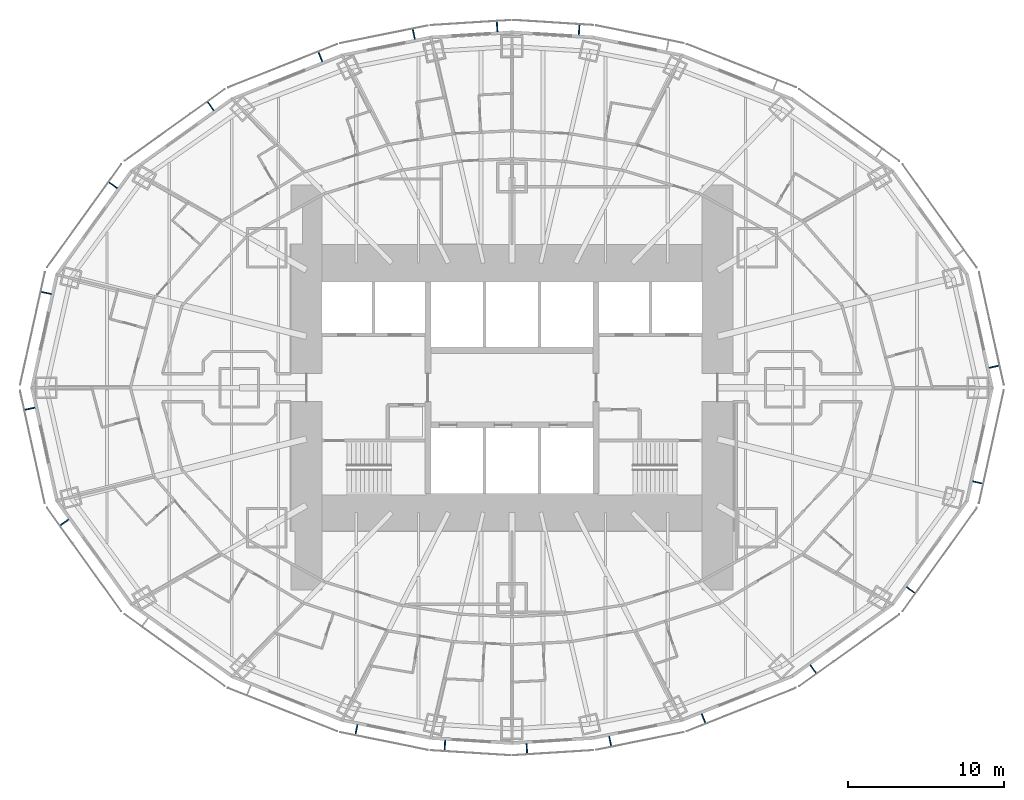
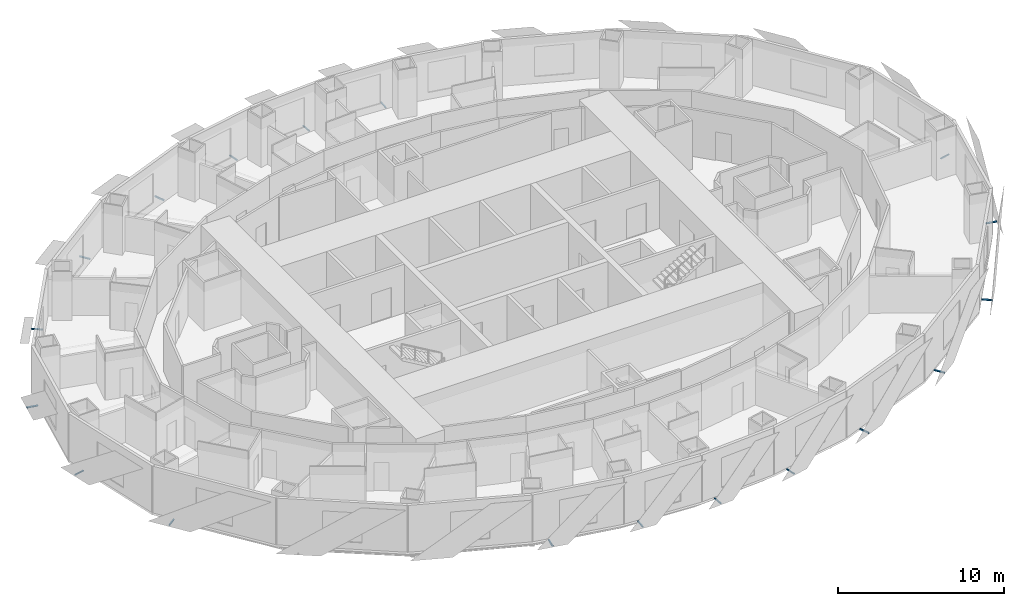
# One storey, part 11 of 15: 18 discrete accessories.
"""IFC4 building model written with IfcOpenShell, lengths in metres."""

from ifc_helpers import new_model, si_unit, direction, frame, origin, origin_2d, place, context, subcontext, project, spatial, rectangle, extrude, element, save


model = new_model("IFC4")

# Units and contexts
model_context = context("Model", 3, precision=1e-05, world=origin(), true_north=direction((0.0, 1.0)))
body_context = subcontext(model_context, "Body", "Model", "MODEL_VIEW")
ifc_project = project(units=[si_unit("LENGTHUNIT", "METRE"), si_unit("AREAUNIT", "SQUARE_METRE"), si_unit("VOLUMEUNIT", "CUBIC_METRE"), si_unit("PLANEANGLEUNIT", "RADIAN"), si_unit("MASSUNIT", "GRAM", prefix="KILO")], contexts=[model_context])

# Site, building, storey
site_placement = place(None, origin())
site = spatial("IfcSite", under=ifc_project, at=site_placement, CompositionType="ELEMENT")
building_placement = place(site_placement, origin())
building = spatial("IfcBuilding", under=site, at=building_placement, Name="Lantaw Convention Tower", CompositionType="ELEMENT")
storey_placement = place(building_placement, frame((0.0, 0.0, 62.199951171875)))
storey = spatial("IfcBuildingStorey", under=building, at=storey_placement, Name="L13", CompositionType="ELEMENT", Elevation=62.199951171875)

# Discrete accessories
for number, where, z_axis, x_axis, name in (
    (1, (30.967529296875, 1.35009765625, -0.114990234375), (0.0, 0.0, 1.0), (-0.215246056391, 0.976559847223, 0.0), "Screen bracket"),
    (2, (4.310302734375, 22.987548828125, -0.114990234375), (0.0, 0.0, 1.0), (-0.998016153807, 0.062958373078, 0.0), "Screen bracket"),
    (3, (-0.9560546875, 23.19921875, -0.114990234375), (0.0, 0.0, 1.0), (-0.998016153807, -0.062958373078, 0.0), "Screen bracket"),
    (4, (-6.307861328125, 22.71728515625, -0.114990234375), (0.0, 0.0, 1.0), (-0.980244604501, -0.197789067813, 0.0), "Screen bracket"),
    (5, (-12.309814453125, 21.25732421875, -0.114990234375), (0.0, 0.0, 1.0), (-0.929361152748, -0.369171840425, 0.0), "Screen bracket"),
    (6, (-19.352294921875, 18.085205078125, -0.114990234375), (0.0, 0.0, 1.0), (-0.812803733199, -0.5825376308, 0.0), "Screen bracket"),
    (7, (-25.61962890625, 13.004638671875, -0.114990234375), (0.0, 0.0, 1.0), (-0.583951250436, -0.811788726895, 0.0), "Screen bracket"),
    (8, (-29.92333984375, 6.087890625, -0.114990234375), (0.0, 0.0, 1.0), (-0.215246056391, -0.976559847223, 0.0), "Screen bracket"),
    (9, (-30.967529296875, -1.35009765625, -0.114990234375), (0.0, 0.0, 1.0), (0.215246056391, -0.976559847223, 0.0), "Screen bracket"),
    (10, (-28.745849609375, -8.65869140625, -0.114990234375), (0.0, 0.0, 1.0), (0.583951250436, -0.811788726895, 0.0), "Screen bracket"),
    (11, (-9.990478515625, -21.974365234375, -0.114990234375), (0.0, 0.0, 1.0), (0.980244604501, -0.197789067813, 0.0), "Screen bracket"),
    (12, (-4.310302734375, -22.987548828125, -0.114990234375), (0.0, 0.0, 1.0), (0.998016153807, -0.062958373078, 0.0), "Screen bracket"),
    (13, (0.9560546875, -23.19921875, -0.114990234375), (0.0, 0.0, 1.0), (0.998016153807, 0.062958373078, 0.0), "Screen bracket"),
    (14, (6.307861328125, -22.71728515625, -0.114990234375), (0.0, 0.0, 1.0), (0.980244604501, 0.197789067813, 0.0), "Screen bracket"),
    (15, (12.309814453125, -21.25732421875, -0.114990234375), (0.0, 0.0, 1.0), (0.929361152748, 0.369171840425, 0.0), "Screen bracket"),
    (16, (19.352294921875, -18.085205078125, -0.114990234375), (0.0, 0.0, 1.0), (0.812803733199, 0.5825376308, 0.0), "Screen bracket"),
    (17, (25.61962890625, -13.004638671875, -0.114990234375), (0.0, 0.0, 1.0), (0.583951250436, 0.811788726895, 0.0), "Screen bracket"),
    (18, (29.92333984375, -6.087890625, -0.114990234375), (0.0, 0.0, 1.0), (0.215246056391, 0.976559847223, 0.0), "Screen bracket"),
):
    element("IfcDiscreteAccessory", number, at=place(storey_placement, frame(where, z_axis=z_axis, x_axis=x_axis)), inside=storey, Name=name, PredefinedType="BRACKET", context=body_context, shape_type="SweptSolid", body=[
        extrude(rectangle(XDim=0.080078125, YDim=0.68798828125, at=origin_2d()), origin(), (0.0, 0.0, 1.0), 0.080078125),
    ])

save(model, "model.ifc")
